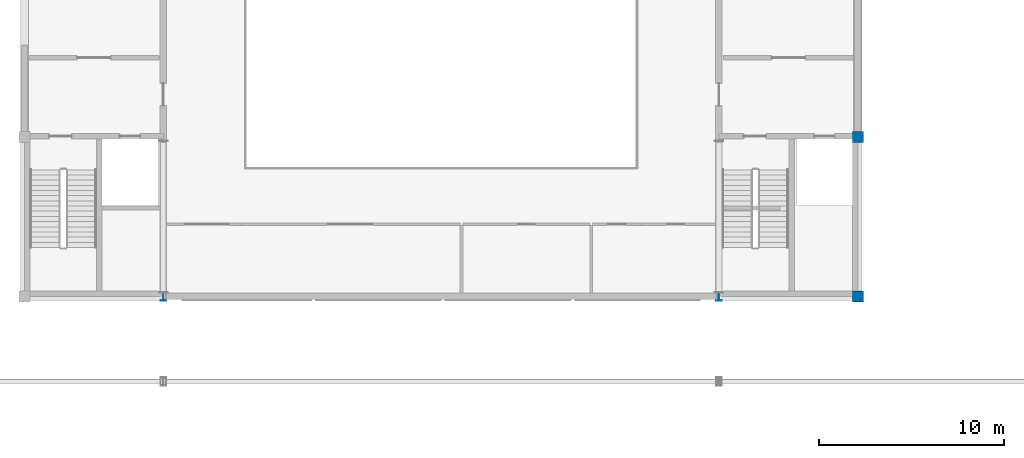
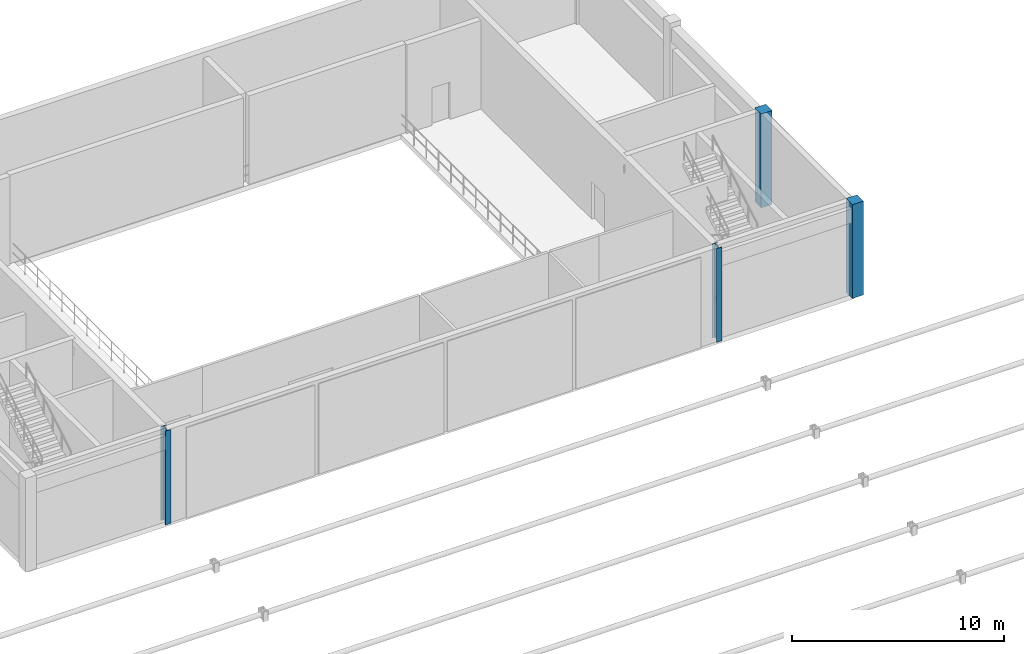
# One storey, part 2 of 38: 4 columns.
"""IFC4 building model written with IfcOpenShell, lengths in metres."""

from ifc_helpers import new_model, si_unit, direction, frame, origin, origin_2d, place, context, subcontext, project, spatial, rectangle, i_section, extrude, material, material_profile, profile_set, type_object, element, save


model = new_model("IFC4")

# Units and contexts
model_context = context("Model", 3, precision=1e-05, world=origin(), true_north=direction((0.0, 1.0)))
body_context = subcontext(model_context, "Body", "Model", "MODEL_VIEW")
ifc_project = project(units=[si_unit("LENGTHUNIT", "METRE"), si_unit("AREAUNIT", "SQUARE_METRE"), si_unit("VOLUMEUNIT", "CUBIC_METRE"), si_unit("PLANEANGLEUNIT", "RADIAN"), si_unit("MASSUNIT", "GRAM", prefix="KILO")], contexts=[model_context])

# Site, building, storey
site_placement = place(None, origin())
site = spatial("IfcSite", under=ifc_project, at=site_placement, CompositionType="ELEMENT")
building_placement = place(site_placement, origin())
building = spatial("IfcBuilding", under=site, at=building_placement, Name="Muzn Square Opera House", CompositionType="ELEMENT")
storey_placement = place(building_placement, frame((0.0, 0.0, 18.0)))
storey = spatial("IfcBuildingStorey", under=building, at=storey_placement, Name="L04", CompositionType="ELEMENT", Elevation=18.0)

# Columns
ifc_material_1 = material(Name="Concrete C45/55", Category="concrete")
ifc_material_profile_1 = material_profile(ifc_material_1, rectangle(XDim=0.60009765625, YDim=0.60009765625, at=origin_2d()), Name="RC 600x600", Category="concrete")
ifc_profile_set_1 = profile_set([ifc_material_profile_1], Name="Concrete C45/55")
column_type_1 = type_object("IfcColumnType", Name="Frame Column 600x600", PredefinedType="COLUMN", material=ifc_profile_set_1)
for number, where, z_axis, x_axis, name in (
    (1, (110.5, 72.60009765625, 0.0), (0.0, 0.0, 1.0), (1.0, 0.0, 0.0), "Column COL-L04-COL-600-1105_726"),
    (2, (110.5, 81.199951171875, 0.0), (0.0, 0.0, 1.0), (1.0, 0.0, 0.0), "Column COL-L04-COL-600-1105_812"),
):
    element("IfcColumn", number, at=place(storey_placement, frame(where, z_axis=z_axis, x_axis=x_axis)), inside=storey, type_object=column_type_1, Name=name, PredefinedType="COLUMN", context=body_context, shape_type="SweptSolid", body=[
        extrude(rectangle(XDim=0.60009765625, YDim=0.60009765625, at=origin_2d()), origin(), (0.0, 0.0, 1.0), 5.39990234375),
    ])
ifc_material_2 = material(Name="Steel S355", Category="steel")
ifc_material_profile_2 = material_profile(ifc_material_2, i_section(OverallWidth=0.300048828125, OverallDepth=0.449951171875, WebThickness=0.013916015625, FlangeThickness=0.02587890625, FilletRadius=0.027099609375, at=origin_2d()), Name="HEB 450", Category="steel")
ifc_profile_set_2 = profile_set([ifc_material_profile_2], Name="Steel S355")
column_type_2 = type_object("IfcColumnType", Name="Steel Gallery Column HEB450", PredefinedType="COLUMN", material=ifc_profile_set_2)
for number, where, z_axis, x_axis, name in (
    (3, (73.0, 72.60009765625, 0.0), (0.0, 0.0, 1.0), (1.0, 0.0, 0.0), "Column COL-L04-COL-HEB450-730_726"),
    (4, (103.0, 72.60009765625, 0.0), (0.0, 0.0, 1.0), (1.0, 0.0, 0.0), "Column COL-L04-COL-HEB450-1030_726"),
):
    element("IfcColumn", number, at=place(storey_placement, frame(where, z_axis=z_axis, x_axis=x_axis)), inside=storey, type_object=column_type_2, Name=name, PredefinedType="COLUMN", context=body_context, shape_type="SweptSolid", body=[
        extrude(i_section(OverallWidth=0.300048828125, OverallDepth=0.449951171875, WebThickness=0.013916015625, FlangeThickness=0.02587890625, FilletRadius=0.027099609375, at=origin_2d()), origin(), (0.0, 0.0, 1.0), 5.39990234375),
    ])

save(model, "model.ifc")
